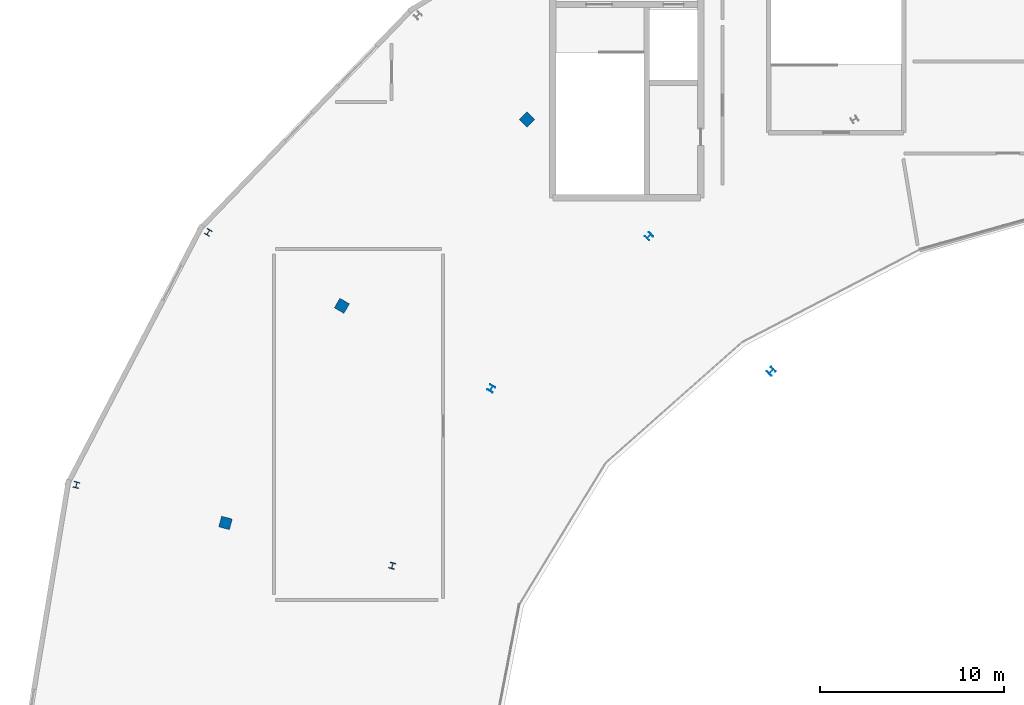
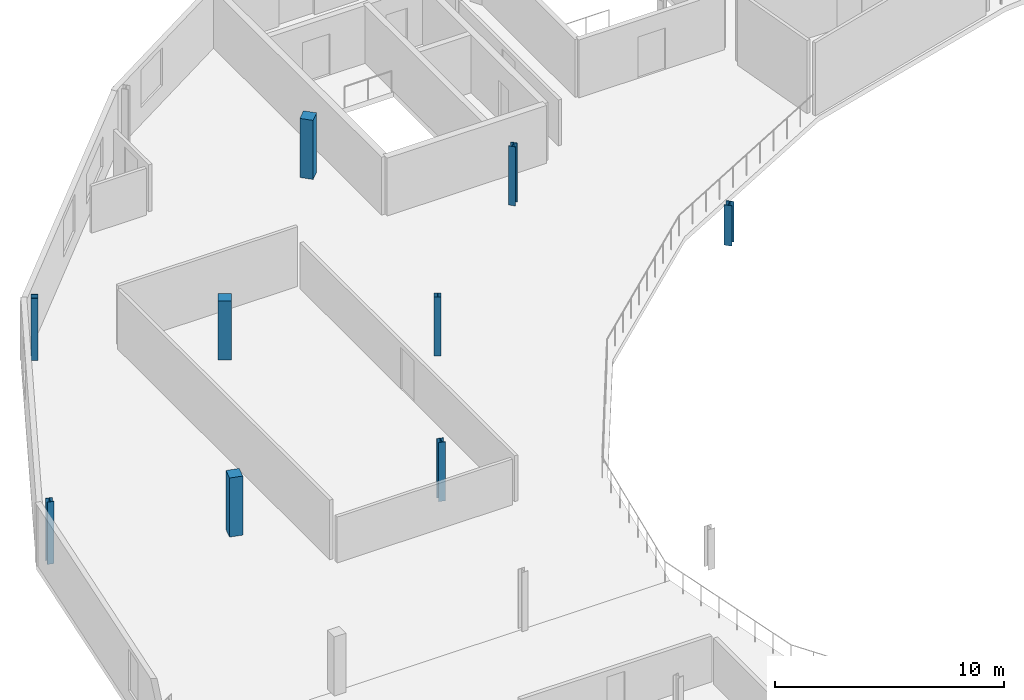
# One storey, part 7 of 35: 9 columns.
"""IFC4 building model written with IfcOpenShell, lengths in metres."""

from ifc_helpers import new_model, si_unit, direction, frame, origin, origin_2d, place, context, subcontext, project, spatial, rectangle, i_section, extrude, material, material_profile, profile_set, type_object, element, save


model = new_model("IFC4")

# Units and contexts
model_context = context("Model", 3, precision=1e-05, world=origin(), true_north=direction((0.0, 1.0)))
body_context = subcontext(model_context, "Body", "Model", "MODEL_VIEW")
ifc_project = project(units=[si_unit("LENGTHUNIT", "METRE"), si_unit("AREAUNIT", "SQUARE_METRE"), si_unit("VOLUMEUNIT", "CUBIC_METRE"), si_unit("PLANEANGLEUNIT", "RADIAN"), si_unit("MASSUNIT", "GRAM", prefix="KILO")], contexts=[model_context])

# Site, building, storey
site_placement = place(None, origin())
site = spatial("IfcSite", under=ifc_project, at=site_placement, CompositionType="ELEMENT")
building_placement = place(site_placement, origin())
building = spatial("IfcBuilding", under=site, at=building_placement, Name="Kalgoora Escarpment Arena", CompositionType="ELEMENT")
storey_placement = place(building_placement, frame((0.0, 0.0, 23.39990234375)))
storey = spatial("IfcBuildingStorey", under=building, at=storey_placement, Name="L05", CompositionType="ELEMENT", Elevation=23.39990234375)

# Columns
ifc_material_1 = material(Name="Structural steel AS/NZS 3679 (300 MPa)", Category="steel")
ifc_material_profile_1 = material_profile(ifc_material_1, i_section(OverallWidth=0.30908203125, OverallDepth=0.321044921875, WebThickness=0.013916015625, FlangeThickness=0.021728515625, at=origin_2d()))
ifc_profile_set_1 = profile_set([ifc_material_profile_1], Name="Structural steel AS/NZS 3679 (300 MPa)")
column_type_1 = type_object("IfcColumnType", Name="COL-COL-310UC137", PredefinedType="COLUMN", material=ifc_profile_set_1)
for number, where, z_axis, x_axis, name in (
    (1, (30.219482421875, 92.5, 0.0), (0.0, 0.0, 1.0), (-0.866025403784, 0.5, 0.0), "L05 structural column COL-RCONC2-R11"),
    (2, (23.04638671875, 78.752685546875, 0.0), (0.0, 0.0, 1.0), (-0.965925826289, 0.258819045103, 0.0), "L05 structural column COL-RCONC2-R12"),
):
    element("IfcColumn", number, at=place(storey_placement, frame(where, z_axis=z_axis, x_axis=x_axis)), inside=storey, type_object=column_type_1, Name=name, PredefinedType="COLUMN", context=body_context, shape_type="SweptSolid", body=[
        extrude(i_section(OverallWidth=0.30908203125, OverallDepth=0.321044921875, WebThickness=0.013916015625, FlangeThickness=0.021728515625, at=origin_2d()), origin(), (0.0, 0.0, 1.0), 3.320068359375),
    ])
ifc_material_2 = material(Name="Structural steel AS/NZS 3679 (300 MPa)", Category="steel")
ifc_material_profile_2 = material_profile(ifc_material_2, i_section(OverallWidth=0.31103515625, OverallDepth=0.326904296875, WebThickness=0.015625, FlangeThickness=0.02490234375, at=origin_2d()))
ifc_profile_set_2 = profile_set([ifc_material_profile_2], Name="Structural steel AS/NZS 3679 (300 MPa)")
column_type_2 = type_object("IfcColumnType", Name="COL-COL-310UC158", PredefinedType="COLUMN", material=ifc_profile_set_2)
for number, where, z_axis, x_axis, name in (
    (3, (54.21630859375, 92.2841796875, 0.0), (0.0, 0.0, 1.0), (-0.707106781187, 0.707106781187, 0.0), "L05 structural column COL-RMAIN-R10"),
    (4, (45.634521484375, 84.0, 0.0), (0.0, 0.0, 1.0), (-0.866025403784, 0.5, 0.0), "L05 structural column COL-RMAIN-R11"),
    (5, (40.239990234375, 74.352783203125, 0.0), (0.0, 0.0, 1.0), (-0.965925826289, 0.258819045103, 0.0), "L05 structural column COL-RMAIN-R12"),
):
    element("IfcColumn", number, at=place(storey_placement, frame(where, z_axis=z_axis, x_axis=x_axis)), inside=storey, type_object=column_type_2, Name=name, PredefinedType="COLUMN", context=body_context, shape_type="SweptSolid", body=[
        extrude(i_section(OverallWidth=0.31103515625, OverallDepth=0.326904296875, WebThickness=0.015625, FlangeThickness=0.02490234375, at=origin_2d()), origin(), (0.0, 0.0, 1.0), 3.150146484375),
    ])
ifc_material_3 = material(Name="Structural steel Grade 350 (350 MPa)", Category="steel")
ifc_material_profile_3 = material_profile(ifc_material_3, i_section(OverallWidth=0.35009765625, OverallDepth=0.35009765625, WebThickness=0.013916015625, FlangeThickness=0.02392578125, at=origin_2d()))
ifc_profile_set_3 = profile_set([ifc_material_profile_3], Name="Structural steel Grade 350 (350 MPa)")
column_type_3 = type_object("IfcColumnType", Name="COL-COL-350WC197", PredefinedType="COLUMN", material=ifc_profile_set_3)
column_placement = place(storey_placement, frame((60.863037109375, 84.930419921875, 0.0), z_axis=(0.0, 0.0, 1.0), x_axis=(-0.707106781187, 0.707106781187, 0.0)))
element("IfcColumn", 6, at=column_placement, inside=storey, type_object=column_type_3, Name="L05 structural column COL-TSPINE-S04", PredefinedType="COLUMN", context=body_context, shape_type="SweptSolid", body=[
    extrude(i_section(OverallWidth=0.35009765625, OverallDepth=0.35009765625, WebThickness=0.013916015625, FlangeThickness=0.02392578125, at=origin_2d()), origin(), (0.0, 0.0, 1.0), 2.150146484375),
])
ifc_material_4 = material(Name="Concrete N50 (fc' 50 MPa)", Category="concrete")
ifc_material_profile_4 = material_profile(ifc_material_4, rectangle(XDim=0.60009765625, YDim=0.60009765625, at=origin_2d()))
ifc_profile_set_4 = profile_set([ifc_material_profile_4], Name="Concrete N50 (fc' 50 MPa)")
column_type_4 = type_object("IfcColumnType", Name="COL-COL-RC600x600", PredefinedType="COLUMN", material=ifc_profile_set_4)
for number, where, z_axis, x_axis, name in (
    (7, (47.5693359375, 98.648193359375, 0.0), (0.0, 0.0, 1.0), (-0.707106781187, 0.707106781187, 0.0), "L05 structural column COL-RCONC1-R10"),
    (8, (37.493896484375, 88.5, 0.0), (0.0, 0.0, 1.0), (-0.866025403784, 0.5, 0.0), "L05 structural column COL-RCONC1-R11"),
    (9, (31.160400390625, 76.68212890625, 0.0), (0.0, 0.0, 1.0), (-0.965925826289, 0.258819045103, 0.0), "L05 structural column COL-RCONC1-R12"),
):
    element("IfcColumn", number, at=place(storey_placement, frame(where, z_axis=z_axis, x_axis=x_axis)), inside=storey, type_object=column_type_4, Name=name, PredefinedType="COLUMN", context=body_context, shape_type="SweptSolid", body=[
        extrude(rectangle(XDim=0.60009765625, YDim=0.60009765625, at=origin_2d()), origin(), (0.0, 0.0, 1.0), 3.150146484375),
    ])

save(model, "model.ifc")
